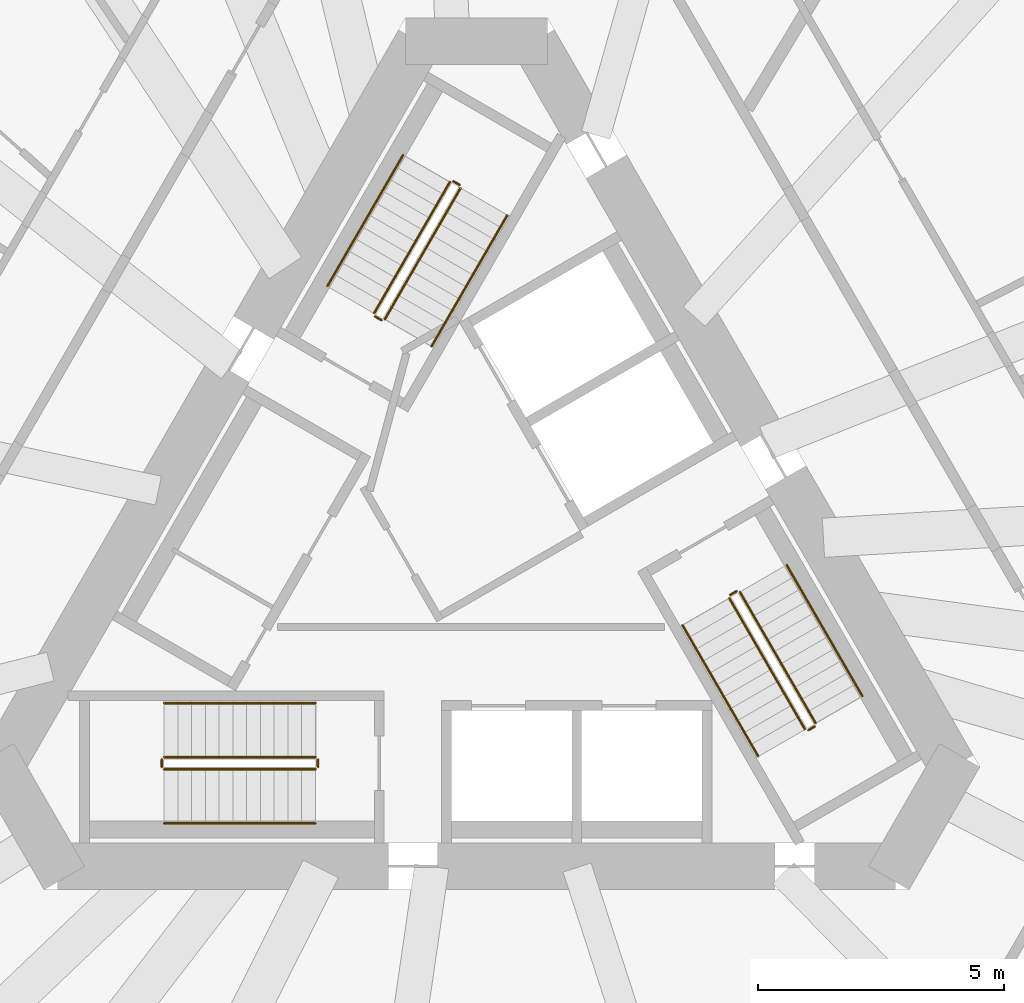
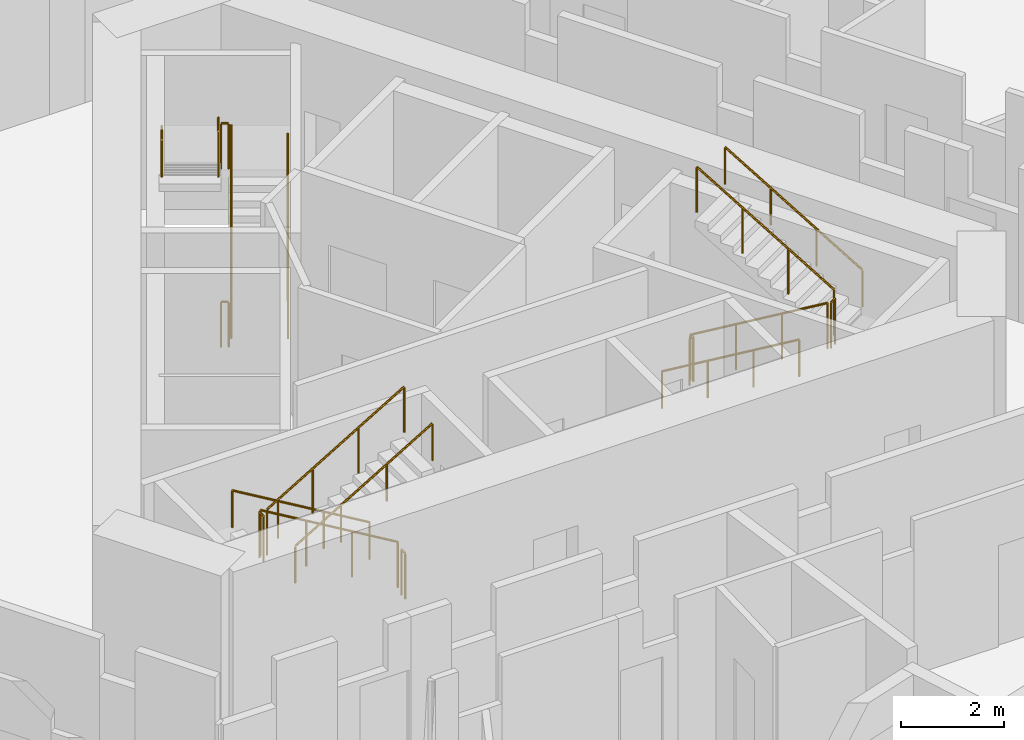
# One storey, part 12 of 13: 18 railings.
"""IFC4 building model written with IfcOpenShell, lengths in metres."""

from ifc_helpers import new_model, si_unit, direction, frame, origin, origin_2d, place, context, subcontext, project, spatial, circle, extrude, material, type_object, element, save


model = new_model("IFC4")

# Units and contexts
model_context = context("Model", 3, precision=1e-05, world=origin(), true_north=direction((0.0, 1.0)))
body_context = subcontext(model_context, "Body", "Model", "MODEL_VIEW")
ifc_project = project(units=[si_unit("LENGTHUNIT", "METRE"), si_unit("AREAUNIT", "SQUARE_METRE"), si_unit("VOLUMEUNIT", "CUBIC_METRE"), si_unit("PLANEANGLEUNIT", "RADIAN"), si_unit("MASSUNIT", "GRAM", prefix="KILO")], contexts=[model_context])

# Site, building, storey
site_placement = place(None, origin())
site = spatial("IfcSite", under=ifc_project, at=site_placement, CompositionType="ELEMENT")
building_placement = place(site_placement, origin())
building = spatial("IfcBuilding", under=site, at=building_placement, Name="Tramontana Tower", CompositionType="ELEMENT")
storey_placement = place(building_placement, frame((0.0, 0.0, 108.39990234375)))
storey = spatial("IfcBuildingStorey", under=building, at=storey_placement, Name="L24", CompositionType="ELEMENT", Elevation=108.39990234375)

# Railings
ifc_material_1 = material(Name="Painted steel", Category="steel")
railing_type_1 = type_object("IfcRailingType", Name="STAIR GUARD 1100", PredefinedType="GUARDRAIL", material=ifc_material_1)
railing_1_placement = place(storey_placement, frame((-1.867431640625, 4.865478515625, 0.166748046875)))
element("IfcRailing", 1, at=railing_1_placement, inside=storey, type_object=railing_type_1, Name="L24 ST1 stair guard 1", PredefinedType="GUARDRAIL", context=body_context, shape_type="SweptSolid", body=[
    extrude(circle(Radius=0.02392578125, at=origin_2d()), frame((0.0, 0.0, 1.076171875), z_axis=(0.429649414936, 0.744189839504, 0.511451721109), x_axis=(-0.866029832698, 0.499992328818, 0.0)), (0.0, 0.0, 1.0), 3.58447265625),
    extrude(circle(Radius=0.02099609375, at=origin_2d()), origin(), (0.0, 0.0, 1.0), 1.052001953125),
    extrude(circle(Radius=0.02099609375, at=origin_2d()), frame((0.513427734375, 0.88916015625, 0.611083984375)), (0.0, 0.0, 1.0), 1.052001953125),
    extrude(circle(Radius=0.02099609375, at=origin_2d()), frame((1.026611328125, 1.7783203125, 1.22216796875)), (0.0, 0.0, 1.0), 1.052001953125),
    extrude(circle(Radius=0.02099609375, at=origin_2d()), frame((1.5400390625, 2.66748046875, 1.833251953125)), (0.0, 0.0, 1.0), 1.052001953125),
])
railing_2_placement = place(storey_placement, frame((-0.5439453125, 7.657958984375, 2.166748046875)))
element("IfcRailing", 2, at=railing_2_placement, inside=storey, type_object=railing_type_1, Name="L24 ST1 stair guard 2", PredefinedType="GUARDRAIL", context=body_context, shape_type="SweptSolid", body=[
    extrude(circle(Radius=0.02392578125, at=origin_2d()), frame((0.0, 0.0, 1.076171875), z_axis=(-0.429649414936, -0.744189839504, 0.511451721109), x_axis=(0.866029832698, -0.499992328818, 0.0)), (0.0, 0.0, 1.0), 3.58447265625),
    extrude(circle(Radius=0.02099609375, at=origin_2d()), origin(), (0.0, 0.0, 1.0), 1.052001953125),
    extrude(circle(Radius=0.02099609375, at=origin_2d()), frame((-0.513427734375, -0.88916015625, 0.611083984375)), (0.0, 0.0, 1.0), 1.052001953125),
    extrude(circle(Radius=0.02099609375, at=origin_2d()), frame((-1.026611328125, -1.7783203125, 1.22216796875)), (0.0, 0.0, 1.0), 1.052001953125),
    extrude(circle(Radius=0.02099609375, at=origin_2d()), frame((-1.5400390625, -2.66748046875, 1.833251953125)), (0.0, 0.0, 1.0), 1.052001953125),
])
railing_3_placement = place(storey_placement, frame((-0.345703125, 7.601318359375, 2.0)))
element("IfcRailing", 3, at=railing_3_placement, inside=storey, type_object=railing_type_1, Name="L24 ST1 stair guard 3", PredefinedType="GUARDRAIL", context=body_context, shape_type="SweptSolid", body=[
    extrude(circle(Radius=0.02392578125, at=origin_2d()), frame((0.0, 0.0, 1.076171875), z_axis=(-0.866131372301, 0.499816412211, 0.0), x_axis=(-0.499816412211, -0.866131372301, 0.0)), (0.0, 0.0, 1.0), 0.14990234375),
    extrude(circle(Radius=0.02099609375, at=origin_2d()), origin(), (0.0, 0.0, 1.0), 1.052001953125),
    extrude(circle(Radius=0.02099609375, at=origin_2d()), frame((-0.1298828125, 0.074951171875, 0.0)), (0.0, 0.0, 1.0), 1.052001953125),
])
railing_4_placement = place(storey_placement, frame((-1.935791015625, 4.84716796875, 0.0)))
element("IfcRailing", 4, at=railing_4_placement, inside=storey, type_object=railing_type_1, Name="L24 ST1 stair guard 4", PredefinedType="GUARDRAIL", context=body_context, shape_type="SweptSolid", body=[
    extrude(circle(Radius=0.02392578125, at=origin_2d()), frame((0.0, 0.0, 1.076171875), z_axis=(-0.865426285481, 0.501036270542, 0.0), x_axis=(-0.501036270542, -0.865426285481, 0.0)), (0.0, 0.0, 1.0), 0.150146484375),
    extrude(circle(Radius=0.02099609375, at=origin_2d()), origin(), (0.0, 0.0, 1.0), 1.052001953125),
    extrude(circle(Radius=0.02099609375, at=origin_2d()), frame((-0.1298828125, 0.0751953125, 0.0)), (0.0, 0.0, 1.0), 1.052001953125),
])
railing_5_placement = place(storey_placement, frame((-3.280029296875, -4.050048828125, 0.166748046875)))
element("IfcRailing", 5, at=railing_5_placement, inside=storey, type_object=railing_type_1, Name="L24 ST2 stair guard 1", PredefinedType="GUARDRAIL", context=body_context, shape_type="SweptSolid", body=[
    extrude(circle(Radius=0.02392578125, at=origin_2d()), frame((0.0, 0.0, 1.076171875), z_axis=(-0.859308565015, 0.0, 0.511457515432), x_axis=(0.0, -1.0, 0.0)), (0.0, 0.0, 1.0), 3.58447265625),
    extrude(circle(Radius=0.02099609375, at=origin_2d()), origin(), (0.0, 0.0, 1.0), 1.052001953125),
    extrude(circle(Radius=0.02099609375, at=origin_2d()), frame((-1.026611328125, 0.0, 0.611083984375)), (0.0, 0.0, 1.0), 1.052001953125),
    extrude(circle(Radius=0.02099609375, at=origin_2d()), frame((-2.053466796875, 0.0, 1.22216796875)), (0.0, 0.0, 1.0), 1.052001953125),
    extrude(circle(Radius=0.02099609375, at=origin_2d()), frame((-3.080078125, 0.0, 1.833251953125)), (0.0, 0.0, 1.0), 1.052001953125),
])
railing_6_placement = place(storey_placement, frame((-6.360107421875, -4.300048828125, 2.166748046875)))
element("IfcRailing", 6, at=railing_6_placement, inside=storey, type_object=railing_type_1, Name="L24 ST2 stair guard 2", PredefinedType="GUARDRAIL", context=body_context, shape_type="SweptSolid", body=[
    extrude(circle(Radius=0.02392578125, at=origin_2d()), frame((0.0, 0.0, 1.076171875), z_axis=(0.859308565015, 0.0, 0.511457515432), x_axis=(0.0, 1.0, 0.0)), (0.0, 0.0, 1.0), 3.58447265625),
    extrude(circle(Radius=0.02099609375, at=origin_2d()), origin(), (0.0, 0.0, 1.0), 1.052001953125),
    extrude(circle(Radius=0.02099609375, at=origin_2d()), frame((1.026611328125, 0.0, 0.611083984375)), (0.0, 0.0, 1.0), 1.052001953125),
    extrude(circle(Radius=0.02099609375, at=origin_2d()), frame((2.053466796875, 0.0, 1.22216796875)), (0.0, 0.0, 1.0), 1.052001953125),
    extrude(circle(Radius=0.02099609375, at=origin_2d()), frame((3.080078125, 0.0, 1.833251953125)), (0.0, 0.0, 1.0), 1.052001953125),
])
for number, where, name in (
    (7, (-6.409912109375, -4.10009765625, 2.0), "L24 ST2 stair guard 3"),
    (8, (-3.22998046875, -4.10009765625, 0.0), "L24 ST2 stair guard 4"),
):
    element("IfcRailing", number, at=place(storey_placement, frame(where)), inside=storey, type_object=railing_type_1, Name=name, PredefinedType="GUARDRAIL", context=body_context, shape_type="SweptSolid", body=[
        extrude(circle(Radius=0.02392578125, at=origin_2d()), frame((0.0, 0.0, 1.076171875), z_axis=(0.0, -1.0, 0.0), x_axis=(1.0, 0.0, 0.0)), (0.0, 0.0, 1.0), 0.14990234375),
        extrude(circle(Radius=0.02099609375, at=origin_2d()), origin(), (0.0, 0.0, 1.0), 1.052001953125),
        extrude(circle(Radius=0.02099609375, at=origin_2d()), frame((0.0, -0.14990234375, 0.0)), (0.0, 0.0, 1.0), 1.052001953125),
    ])
railing_7_placement = place(storey_placement, frame((5.1474609375, -0.815673828125, 0.166748046875)))
element("IfcRailing", 9, at=railing_7_placement, inside=storey, type_object=railing_type_1, Name="L24 ST3 stair guard 1", PredefinedType="GUARDRAIL", context=body_context, shape_type="SweptSolid", body=[
    extrude(circle(Radius=0.02392578125, at=origin_2d()), frame((0.0, 0.0, 1.076171875), z_axis=(0.429671193721, -0.744159446956, 0.511477646425), x_axis=(0.866010015463, 0.500026652407, 0.0)), (0.0, 0.0, 1.0), 3.584228515625),
    extrude(circle(Radius=0.02099609375, at=origin_2d()), origin(), (0.0, 0.0, 1.0), 1.052001953125),
    extrude(circle(Radius=0.02099609375, at=origin_2d()), frame((0.513427734375, -0.88916015625, 0.611083984375)), (0.0, 0.0, 1.0), 1.052001953125),
    extrude(circle(Radius=0.02099609375, at=origin_2d()), frame((1.026611328125, -1.778076171875, 1.22216796875)), (0.0, 0.0, 1.0), 1.052001953125),
    extrude(circle(Radius=0.02099609375, at=origin_2d()), frame((1.5400390625, -2.667236328125, 1.833251953125)), (0.0, 0.0, 1.0), 1.052001953125),
])
railing_8_placement = place(storey_placement, frame((6.90380859375, -3.35791015625, 2.166748046875)))
element("IfcRailing", 10, at=railing_8_placement, inside=storey, type_object=railing_type_1, Name="L24 ST3 stair guard 2", PredefinedType="GUARDRAIL", context=body_context, shape_type="SweptSolid", body=[
    extrude(circle(Radius=0.02392578125, at=origin_2d()), frame((0.0, 0.0, 1.076171875), z_axis=(-0.429615651263, 0.74418122563, 0.511492615401), x_axis=(-0.866044340336, -0.499967199496, 0.0)), (0.0, 0.0, 1.0), 3.584228515625),
    extrude(circle(Radius=0.02099609375, at=origin_2d()), origin(), (0.0, 0.0, 1.0), 1.052001953125),
    extrude(circle(Radius=0.02099609375, at=origin_2d()), frame((-0.51318359375, 0.88916015625, 0.611083984375)), (0.0, 0.0, 1.0), 1.052001953125),
    extrude(circle(Radius=0.02099609375, at=origin_2d()), frame((-1.026611328125, 1.778076171875, 1.22216796875)), (0.0, 0.0, 1.0), 1.052001953125),
    extrude(circle(Radius=0.02099609375, at=origin_2d()), frame((-1.539794921875, 2.667236328125, 1.833251953125)), (0.0, 0.0, 1.0), 1.052001953125),
])
for number, where, name in (
    (11, (6.755615234375, -3.501220703125, 2.0), "L24 ST3 stair guard 3"),
    (12, (5.165771484375, -0.747314453125, 0.0), "L24 ST3 stair guard 4"),
):
    element("IfcRailing", number, at=place(storey_placement, frame(where)), inside=storey, type_object=railing_type_1, Name=name, PredefinedType="GUARDRAIL", context=body_context, shape_type="SweptSolid", body=[
        extrude(circle(Radius=0.02392578125, at=origin_2d()), frame((0.0, 0.0, 1.076171875), z_axis=(0.866131372301, 0.499816412211, 0.0), x_axis=(-0.499816412211, 0.866131372301, 0.0)), (0.0, 0.0, 1.0), 0.14990234375),
        extrude(circle(Radius=0.02099609375, at=origin_2d()), origin(), (0.0, 0.0, 1.0), 1.052001953125),
        extrude(circle(Radius=0.02099609375, at=origin_2d()), frame((0.1298828125, 0.074951171875, 0.0)), (0.0, 0.0, 1.0), 1.052001953125),
    ])
ifc_material_2 = material(Name="Painted steel", Category="steel")
railing_type_2 = type_object("IfcRailingType", Name="STAIR HANDRAIL 900", PredefinedType="HANDRAIL", material=ifc_material_2)
railing_9_placement = place(storey_placement, frame((-0.914794921875, 4.315673828125, 0.166748046875)))
element("IfcRailing", 13, at=railing_9_placement, inside=storey, type_object=railing_type_2, Name="L24 ST1 stair handrail 1", PredefinedType="HANDRAIL", context=body_context, shape_type="SweptSolid", body=[
    extrude(circle(Radius=0.02392578125, at=origin_2d()), frame((0.0, 0.0, 0.8759765625), z_axis=(0.429671193721, 0.744159446956, 0.511477646425), x_axis=(-0.866010015463, 0.500026652407, 0.0)), (0.0, 0.0, 1.0), 3.584228515625),
    extrude(circle(Radius=0.02099609375, at=origin_2d()), origin(), (0.0, 0.0, 1.0), 0.851806640625),
    extrude(circle(Radius=0.02099609375, at=origin_2d()), frame((0.513427734375, 0.88916015625, 0.611083984375)), (0.0, 0.0, 1.0), 0.851806640625),
    extrude(circle(Radius=0.02099609375, at=origin_2d()), frame((1.026611328125, 1.778076171875, 1.22216796875)), (0.0, 0.0, 1.0), 0.851806640625),
    extrude(circle(Radius=0.02099609375, at=origin_2d()), frame((1.5400390625, 2.667236328125, 1.833251953125)), (0.0, 0.0, 1.0), 0.851806640625),
])
railing_10_placement = place(storey_placement, frame((-1.49658203125, 8.2080078125, 2.166748046875)))
element("IfcRailing", 14, at=railing_10_placement, inside=storey, type_object=railing_type_2, Name="L24 ST1 stair handrail 2", PredefinedType="HANDRAIL", context=body_context, shape_type="SweptSolid", body=[
    extrude(circle(Radius=0.02392578125, at=origin_2d()), frame((0.0, 0.0, 0.8759765625), z_axis=(-0.429649414936, -0.744189839504, 0.511451721109), x_axis=(0.866029832698, -0.499992328818, 0.0)), (0.0, 0.0, 1.0), 3.58447265625),
    extrude(circle(Radius=0.02099609375, at=origin_2d()), origin(), (0.0, 0.0, 1.0), 0.851806640625),
    extrude(circle(Radius=0.02099609375, at=origin_2d()), frame((-0.513427734375, -0.88916015625, 0.611083984375)), (0.0, 0.0, 1.0), 0.851806640625),
    extrude(circle(Radius=0.02099609375, at=origin_2d()), frame((-1.026611328125, -1.7783203125, 1.22216796875)), (0.0, 0.0, 1.0), 0.851806640625),
    extrude(circle(Radius=0.02099609375, at=origin_2d()), frame((-1.5400390625, -2.66748046875, 1.833251953125)), (0.0, 0.0, 1.0), 0.851806640625),
])
railing_11_placement = place(storey_placement, frame((-3.280029296875, -2.949951171875, 0.166748046875)))
element("IfcRailing", 15, at=railing_11_placement, inside=storey, type_object=railing_type_2, Name="L24 ST2 stair handrail 1", PredefinedType="HANDRAIL", context=body_context, shape_type="SweptSolid", body=[
    extrude(circle(Radius=0.02392578125, at=origin_2d()), frame((0.0, 0.0, 0.8759765625), z_axis=(-0.859308565015, 0.0, 0.511457515432), x_axis=(0.0, -1.0, 0.0)), (0.0, 0.0, 1.0), 3.58447265625),
    extrude(circle(Radius=0.02099609375, at=origin_2d()), origin(), (0.0, 0.0, 1.0), 0.851806640625),
    extrude(circle(Radius=0.02099609375, at=origin_2d()), frame((-1.026611328125, 0.0, 0.611083984375)), (0.0, 0.0, 1.0), 0.851806640625),
    extrude(circle(Radius=0.02099609375, at=origin_2d()), frame((-2.053466796875, 0.0, 1.22216796875)), (0.0, 0.0, 1.0), 0.851806640625),
    extrude(circle(Radius=0.02099609375, at=origin_2d()), frame((-3.080078125, 0.0, 1.833251953125)), (0.0, 0.0, 1.0), 0.851806640625),
])
railing_12_placement = place(storey_placement, frame((-6.360107421875, -5.39990234375, 2.166748046875)))
element("IfcRailing", 16, at=railing_12_placement, inside=storey, type_object=railing_type_2, Name="L24 ST2 stair handrail 2", PredefinedType="HANDRAIL", context=body_context, shape_type="SweptSolid", body=[
    extrude(circle(Radius=0.02392578125, at=origin_2d()), frame((0.0, 0.0, 0.8759765625), z_axis=(0.859308565015, 0.0, 0.511457515432), x_axis=(0.0, 1.0, 0.0)), (0.0, 0.0, 1.0), 3.58447265625),
    extrude(circle(Radius=0.02099609375, at=origin_2d()), origin(), (0.0, 0.0, 1.0), 0.851806640625),
    extrude(circle(Radius=0.02099609375, at=origin_2d()), frame((1.026611328125, 0.0, 0.611083984375)), (0.0, 0.0, 1.0), 0.851806640625),
    extrude(circle(Radius=0.02099609375, at=origin_2d()), frame((2.053466796875, 0.0, 1.22216796875)), (0.0, 0.0, 1.0), 0.851806640625),
    extrude(circle(Radius=0.02099609375, at=origin_2d()), frame((3.080078125, 0.0, 1.833251953125)), (0.0, 0.0, 1.0), 0.851806640625),
])
railing_13_placement = place(storey_placement, frame((4.19482421875, -1.365478515625, 0.166748046875)))
element("IfcRailing", 17, at=railing_13_placement, inside=storey, type_object=railing_type_2, Name="L24 ST3 stair handrail 1", PredefinedType="HANDRAIL", context=body_context, shape_type="SweptSolid", body=[
    extrude(circle(Radius=0.02392578125, at=origin_2d()), frame((0.0, 0.0, 0.8759765625), z_axis=(0.429649414936, -0.744189839504, 0.511451721109), x_axis=(0.866029832698, 0.499992328818, 0.0)), (0.0, 0.0, 1.0), 3.58447265625),
    extrude(circle(Radius=0.02099609375, at=origin_2d()), origin(), (0.0, 0.0, 1.0), 0.851806640625),
    extrude(circle(Radius=0.02099609375, at=origin_2d()), frame((0.513427734375, -0.88916015625, 0.611083984375)), (0.0, 0.0, 1.0), 0.851806640625),
    extrude(circle(Radius=0.02099609375, at=origin_2d()), frame((1.026611328125, -1.7783203125, 1.22216796875)), (0.0, 0.0, 1.0), 0.851806640625),
    extrude(circle(Radius=0.02099609375, at=origin_2d()), frame((1.5400390625, -2.66748046875, 1.833251953125)), (0.0, 0.0, 1.0), 0.851806640625),
])
railing_14_placement = place(storey_placement, frame((7.8564453125, -2.807861328125, 2.166748046875)))
element("IfcRailing", 18, at=railing_14_placement, inside=storey, type_object=railing_type_2, Name="L24 ST3 stair handrail 2", PredefinedType="HANDRAIL", context=body_context, shape_type="SweptSolid", body=[
    extrude(circle(Radius=0.02392578125, at=origin_2d()), frame((0.0, 0.0, 0.8759765625), z_axis=(-0.429615651263, 0.74418122563, 0.511492615401), x_axis=(-0.866044340336, -0.499967199496, 0.0)), (0.0, 0.0, 1.0), 3.584228515625),
    extrude(circle(Radius=0.02099609375, at=origin_2d()), origin(), (0.0, 0.0, 1.0), 0.851806640625),
    extrude(circle(Radius=0.02099609375, at=origin_2d()), frame((-0.51318359375, 0.88916015625, 0.611083984375)), (0.0, 0.0, 1.0), 0.851806640625),
    extrude(circle(Radius=0.02099609375, at=origin_2d()), frame((-1.026611328125, 1.778076171875, 1.22216796875)), (0.0, 0.0, 1.0), 0.851806640625),
    extrude(circle(Radius=0.02099609375, at=origin_2d()), frame((-1.539794921875, 2.667236328125, 1.833251953125)), (0.0, 0.0, 1.0), 0.851806640625),
])

save(model, "model.ifc")
